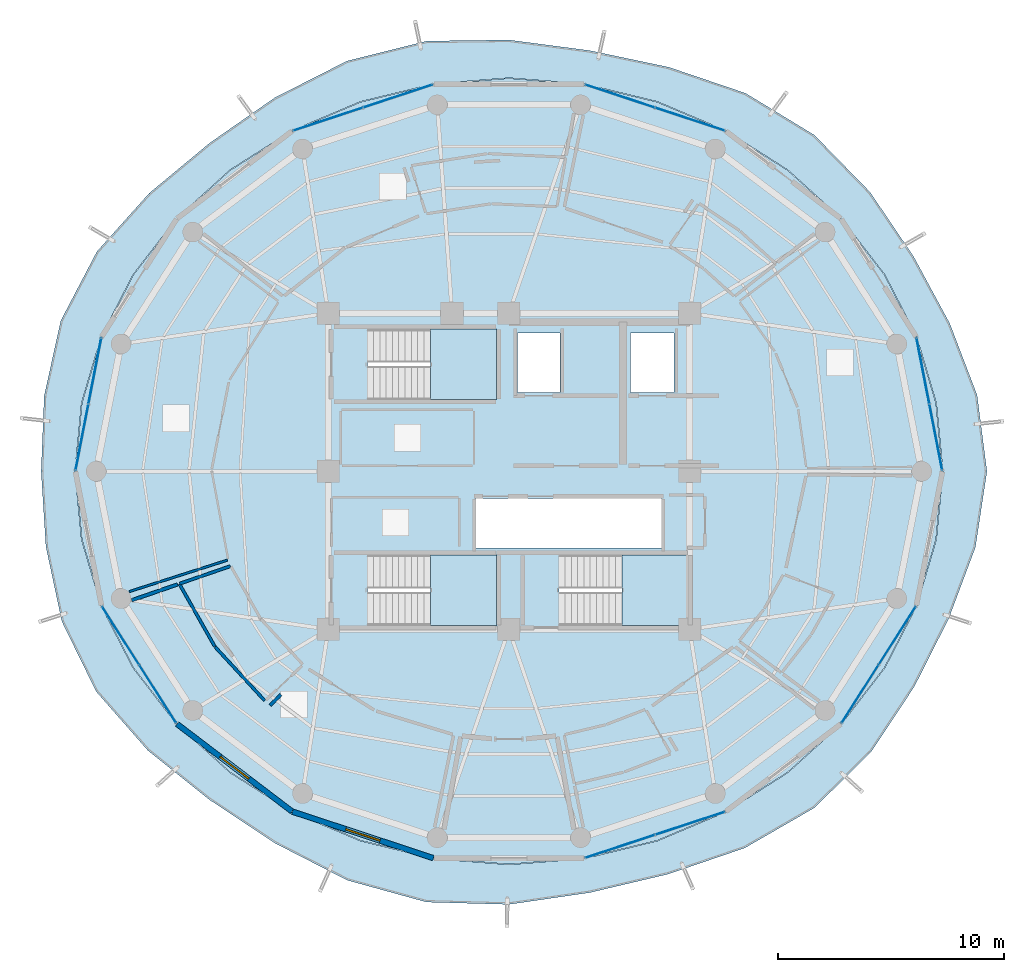
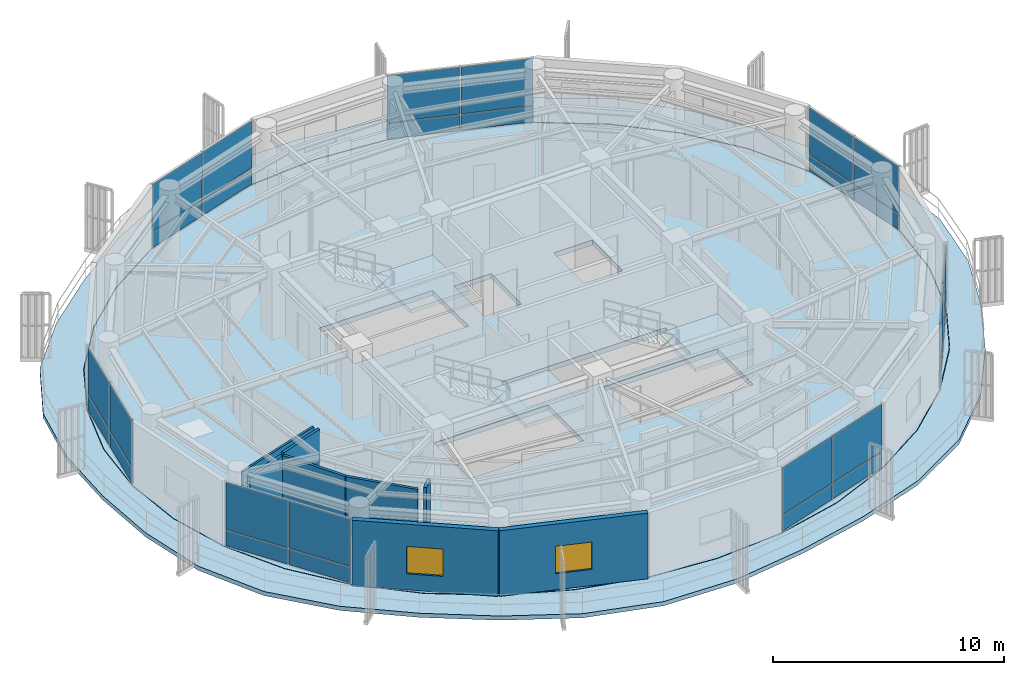
# One storey, part 14 of 22: 28 plates, 8 walls, 5 slabs, 2 windows, 2 openings, 10 elements without a shape of their own.
"""IFC4 building model written with IfcOpenShell, lengths in metres."""

from ifc_helpers import new_model, si_unit, direction, frame, frame_2d, origin, origin_2d, place, context, subcontext, project, spatial, polyline, rectangle, outline, extrude, source, transform, mapped, material, layer, layer_set, type_object, element, fill, aggregate, save


model = new_model("IFC4")

# Units and contexts
model_context = context("Model", 3, precision=1e-05, world=origin(), true_north=direction((0.0, 1.0)))
body_context = subcontext(model_context, "Body", "Model", "MODEL_VIEW")
ifc_project = project(units=[si_unit("LENGTHUNIT", "METRE"), si_unit("AREAUNIT", "SQUARE_METRE"), si_unit("VOLUMEUNIT", "CUBIC_METRE"), si_unit("PLANEANGLEUNIT", "RADIAN"), si_unit("MASSUNIT", "GRAM", prefix="KILO")], contexts=[model_context])

# Site, building, storey
site_placement = place(None, origin())
site = spatial("IfcSite", under=ifc_project, at=site_placement, CompositionType="ELEMENT")
building_placement = place(site_placement, origin())
building = spatial("IfcBuilding", under=site, at=building_placement, Name="Kelanora Arch Commons", CompositionType="ELEMENT")
storey_placement = place(building_placement, frame((0.0, 0.0, 274.949951171875)))
storey = spatial("IfcBuildingStorey", under=building, at=storey_placement, Name="L70", CompositionType="ELEMENT", Elevation=274.949951171875)

# Stair, slab
ifc_material_1 = material(Name="Concrete C40/50", Category="concrete")
stair_type = type_object("IfcStairType", Name="STR-DL-375", PredefinedType="HALF_TURN_STAIR", material=ifc_material_1)
stair_1_placement = place(storey_placement, origin())
stair_1 = element("IfcStair", 1, at=stair_1_placement, inside=storey, type_object=stair_type, Name="L70 ST-T1", PredefinedType="HALF_TURN_STAIR")
ifc_layer_1 = layer(ifc_material_1, 0.199951171875)
ifc_layer_set_1 = layer_set([ifc_layer_1], Name="Concrete C40/50")
slab_type_1 = type_object("IfcSlabType", Name="SLB-STAIR-LND", PredefinedType="LANDING", material=ifc_layer_set_1)
slab_1_placement = place(storey_placement, frame((0.0, 0.0, 1.675048828125)))
slab_1 = element("IfcSlab", 2, at=slab_1_placement, type_object=slab_type_1, Name="ST-T1 landing 1", PredefinedType="LANDING", context=body_context, shape_type="SweptSolid", body=[
    extrude(outline(polyline([(70.52001953125, 61.179931640625), (73.43994140625, 61.179931640625), (73.43994140625, 64.2900390625), (70.52001953125, 64.2900390625), (70.52001953125, 61.179931640625)])), origin(), (0.0, 0.0, 1.0), 0.199951171875),
])
aggregate(stair_1, [slab_1])

stair_2_placement = place(storey_placement, origin())
stair_2 = element("IfcStair", 3, at=stair_2_placement, inside=storey, type_object=stair_type, Name="L70 ST-T2", PredefinedType="HALF_TURN_STAIR")
slab_2_placement = place(storey_placement, frame((0.0, 0.0, 1.675048828125)))
slab_2 = element("IfcSlab", 4, at=slab_2_placement, type_object=slab_type_1, Name="ST-T2 landing 1", PredefinedType="LANDING", context=body_context, shape_type="SweptSolid", body=[
    extrude(outline(polyline([(79.0, 51.179931640625), (81.919921875, 51.179931640625), (81.919921875, 54.2900390625), (79.0, 54.2900390625), (79.0, 51.179931640625)])), origin(), (0.0, 0.0, 1.0), 0.199951171875),
])
aggregate(stair_2, [slab_2])

stair_3_placement = place(storey_placement, origin())
stair_3 = element("IfcStair", 5, at=stair_3_placement, inside=storey, type_object=stair_type, Name="L70 ST-T3", PredefinedType="HALF_TURN_STAIR")
slab_3_placement = place(storey_placement, frame((0.0, 0.0, 1.675048828125)))
slab_3 = element("IfcSlab", 6, at=slab_3_placement, type_object=slab_type_1, Name="ST-T3 landing 1", PredefinedType="LANDING", context=body_context, shape_type="SweptSolid", body=[
    extrude(outline(polyline([(70.52001953125, 51.179931640625), (73.43994140625, 51.179931640625), (73.43994140625, 54.2900390625), (70.52001953125, 54.2900390625), (70.52001953125, 51.179931640625)])), origin(), (0.0, 0.0, 1.0), 0.199951171875),
])
aggregate(stair_3, [slab_3])

# Slabs
ifc_layer_2 = layer(ifc_material_1, 0.260009765625)
ifc_layer_set_2 = layer_set([ifc_layer_2], Name="Concrete C40/50")
slab_type_2 = type_object("IfcSlabType", Name="SLB-TWR-TYP", PredefinedType="FLOOR", material=ifc_layer_set_2)
slab_4_placement = place(storey_placement, frame((0.0, 0.0, -0.260009765625)))
element("IfcSlab", 7, at=slab_4_placement, inside=storey, type_object=slab_type_2, Name="Tower Floor Slab L70", PredefinedType="FLOOR", context=body_context, shape_type="SweptSolid", body=[
    extrude(outline(polyline([(93.199951171875, 58.0), (92.908203125, 61.021484375), (92.0419921875, 63.951171875), (90.627685546875, 66.699951171875), (88.7080078125, 69.1845703125), (86.341552734375, 71.3291015625), (83.60009765625, 73.06884765625), (80.56689453125, 74.3505859375), (77.333984375, 75.1357421875), (74.0, 75.39990234375), (70.666015625, 75.1357421875), (67.43310546875, 74.3505859375), (64.39990234375, 73.06884765625), (61.658447265625, 71.3291015625), (59.2919921875, 69.1845703125), (57.372314453125, 66.699951171875), (55.9580078125, 63.951171875), (55.091796875, 61.021484375), (54.800048828125, 58.0), (55.091796875, 54.978515625), (55.9580078125, 52.048828125), (57.372314453125, 49.300048828125), (59.2919921875, 46.8154296875), (61.658447265625, 44.6708984375), (64.39990234375, 42.93115234375), (67.43310546875, 41.6494140625), (70.666015625, 40.8642578125), (74.0, 40.60009765625), (77.333984375, 40.8642578125), (80.56689453125, 41.6494140625), (83.60009765625, 42.93115234375), (86.341552734375, 44.6708984375), (88.7080078125, 46.8154296875), (90.627685546875, 49.300048828125), (92.0419921875, 52.048828125), (92.908203125, 54.978515625), (93.199951171875, 58.0)]), holes=[polyline([(73.431884765625, 51.18798828125), (67.72802734375, 51.18798828125), (67.72802734375, 54.281982421875), (73.431884765625, 54.281982421875), (73.431884765625, 51.18798828125)]), polyline([(76.2080078125, 51.18798828125), (76.2080078125, 54.281982421875), (81.912109375, 54.281982421875), (81.912109375, 51.18798828125), (76.2080078125, 51.18798828125)]), polyline([(72.550048828125, 54.60009765625), (72.550048828125, 56.800048828125), (80.75, 56.800048828125), (80.75, 54.60009765625), (72.550048828125, 54.60009765625)]), polyline([(73.431884765625, 61.18798828125), (67.72802734375, 61.18798828125), (67.72802734375, 64.281982421875), (73.431884765625, 64.281982421875), (73.431884765625, 61.18798828125)]), polyline([(74.3798828125, 61.47998046875), (74.3798828125, 64.1201171875), (76.260009765625, 64.1201171875), (76.260009765625, 61.47998046875), (74.3798828125, 61.47998046875)]), polyline([(79.3798828125, 61.47998046875), (79.3798828125, 64.1201171875), (81.320068359375, 64.1201171875), (81.320068359375, 61.47998046875), (79.3798828125, 61.47998046875)])]), origin(), (0.0, 0.0, 1.0), 0.260009765625),
])
ifc_layer_3 = layer(ifc_material_1, 0.219970703125)
ifc_layer_set_3 = layer_set([ifc_layer_3], Name="Concrete C40/50")
slab_type_3 = type_object("IfcSlabType", Name="SLB-WAVE-BAL", PredefinedType="FLOOR", material=ifc_layer_set_3)
slab_5_placement = place(storey_placement, frame((0.0, 0.0, -0.219970703125)))
element("IfcSlab", 8, at=slab_5_placement, inside=storey, type_object=slab_type_3, Name="Sinusoidal Wave Balcony Slab L70", PredefinedType="FLOOR", context=body_context, shape_type="SweptSolid", body=[
    extrude(outline(polyline([(95.168212890625, 58.0), (94.730712890625, 61.376220703125), (93.52099609375, 64.545166015625), (91.914306640625, 67.519775390625), (89.986083984375, 70.367919921875), (87.526611328125, 72.8876953125), (84.47607421875, 74.742919921875), (81.076416015625, 75.8955078125), (77.572998046875, 76.6318359375), (74.0, 77.101806640625), (70.359619140625, 77.05224609375), (66.83251953125, 76.172119140625), (63.62890625, 74.542236328125), (60.743408203125, 72.532470703125), (58.07177734375, 70.314208984375), (55.7548828125, 67.73046875), (54.156982421875, 64.674560546875), (53.42138671875, 61.346435546875), (53.284912109375, 58.0), (53.4951171875, 54.66796875), (54.20458984375, 51.3447265625), (55.72119140625, 48.248046875), (58.013916015625, 45.632080078125), (60.735107421875, 43.45654296875), (63.6611328125, 41.51904296875), (66.8515625, 39.885986328125), (70.35546875, 38.9208984375), (74.0, 38.818359375), (77.577392578125, 39.34130859375), (81.05712890625, 40.16259765625), (84.44384765625, 41.318359375), (87.534912109375, 43.101318359375), (90.043701171875, 45.578857421875), (91.947998046875, 48.458984375), (93.473388671875, 51.47412109375), (94.656982421875, 54.63818359375), (95.168212890625, 58.0)]), holes=[polyline([(92.927978515625, 54.97509765625), (92.060791015625, 52.0419921875), (90.64501953125, 49.2900390625), (88.723388671875, 46.802490234375), (86.3544921875, 44.655517578125), (83.610107421875, 42.913818359375), (80.573486328125, 41.630615234375), (77.33740234375, 40.844482421875), (74.0, 40.580078125), (70.66259765625, 40.844482421875), (67.426513671875, 41.630615234375), (64.389892578125, 42.913818359375), (61.6455078125, 44.655517578125), (59.276611328125, 46.802490234375), (57.35498046875, 49.2900390625), (55.939208984375, 52.0419921875), (55.072021484375, 54.97509765625), (54.780029296875, 58.0), (55.072021484375, 61.02490234375), (55.939208984375, 63.9580078125), (57.35498046875, 66.7099609375), (59.276611328125, 69.197509765625), (61.6455078125, 71.344482421875), (64.389892578125, 73.086181640625), (67.426513671875, 74.369384765625), (70.66259765625, 75.155517578125), (74.0, 75.419921875), (77.33740234375, 75.155517578125), (80.573486328125, 74.369384765625), (83.610107421875, 73.086181640625), (86.3544921875, 71.344482421875), (88.723388671875, 69.197509765625), (90.64501953125, 66.7099609375), (92.060791015625, 63.9580078125), (92.927978515625, 61.02490234375), (93.219970703125, 58.0), (92.927978515625, 54.97509765625)])]), origin(), (0.0, 0.0, 1.0), 0.219970703125),
])

# Curtain wall, plates
ifc_material_2 = material(Name="Terracotta ceramic-fritted low-E glass and aluminium", Category="masonry")
ifc_layer_4 = layer(ifc_material_2, 0.18994140625)
ifc_layer_set_4 = layer_set([ifc_layer_4], Name="Terracotta ceramic-fritted low-E glass and aluminium")
curtain_wall_type = type_object("IfcCurtainWallType", Name="CW-SYS-03", PredefinedType="NOTDEFINED", material=ifc_layer_set_4)
curtain_wall_1_placement = place(storey_placement, origin())
curtain_wall_1 = element("IfcCurtainWall", 9, at=curtain_wall_1_placement, inside=storey, type_object=curtain_wall_type, Name="Unitised Curtain Wall L70-B00", PredefinedType="NOTDEFINED")
ifc_material_3 = material(Name="Terracotta ceramic-fritted double glazing", Category="masonry")
ifc_layer_5 = layer(ifc_material_3, 0.028076171875)
ifc_layer_set_5 = layer_set([ifc_layer_5], Name="Terracotta ceramic-fritted double glazing")
plate_type = type_object("IfcPlateType", Name="CWP-FRIT", PredefinedType="CURTAIN_PANEL", material=ifc_layer_set_5)
shared_shape_1 = source(origin(), body_context, "Body", "SweptSolid", [
    extrude(rectangle(XDim=2.926513671875, YDim=0.028076171875, at=origin_2d()), origin(), (0.0, 0.0, 1.0), 0.81005859375),
])
plate_1_placement = place(storey_placement, frame((92.90625, 59.509765625, 0.06005859375), z_axis=(0.0, 0.0, 1.0), x_axis=(-0.190971701941, 0.981595542501, 0.0)))
plate_1 = element("IfcPlate", 10, at=plate_1_placement, type_object=plate_type, Name="CW-03 panel 1.1", PredefinedType="CURTAIN_PANEL", context=body_context, shape_type="MappedRepresentation", body=[
    mapped(shared_shape_1, transform((0.0, 0.0, 0.0), scale=1.0)),
])
plate_2_placement = place(storey_placement, frame((92.3359375, 62.44140625, 0.06005859375), z_axis=(0.0, 0.0, 1.0), x_axis=(-0.190971701941, 0.981595542501, 0.0)))
plate_2 = element("IfcPlate", 11, at=plate_2_placement, type_object=plate_type, Name="CW-03 panel 2.1", PredefinedType="CURTAIN_PANEL", context=body_context, shape_type="MappedRepresentation", body=[
    mapped(shared_shape_1, transform((0.0, 0.0, 0.0), scale=1.0)),
])

curtain_wall_2_placement = place(storey_placement, origin())
curtain_wall_2 = element("IfcCurtainWall", 12, at=curtain_wall_2_placement, inside=storey, type_object=curtain_wall_type, Name="Unitised Curtain Wall L70-B08", PredefinedType="NOTDEFINED")
plate_3_placement = place(storey_placement, frame((55.6640625, 62.44140625, 0.06005859375), z_axis=(0.0, 0.0, 1.0), x_axis=(-0.190971701941, -0.981595542501, 0.0)))
plate_3 = element("IfcPlate", 13, at=plate_3_placement, type_object=plate_type, Name="CW-03 panel 1.1", PredefinedType="CURTAIN_PANEL", context=body_context, shape_type="MappedRepresentation", body=[
    mapped(shared_shape_1, transform((0.0, 0.0, 0.0), scale=1.0)),
])
plate_4_placement = place(storey_placement, frame((55.09375, 59.509765625, 0.06005859375), z_axis=(0.0, 0.0, 1.0), x_axis=(-0.190971701941, -0.981595542501, 0.0)))
plate_4 = element("IfcPlate", 14, at=plate_4_placement, type_object=plate_type, Name="CW-03 panel 2.1", PredefinedType="CURTAIN_PANEL", context=body_context, shape_type="MappedRepresentation", body=[
    mapped(shared_shape_1, transform((0.0, 0.0, 0.0), scale=1.0)),
])

# Plate
shared_shape_2 = source(origin(), body_context, "Body", "SweptSolid", [
    extrude(rectangle(XDim=2.926513671875, YDim=0.028076171875, at=origin_2d()), origin(), (0.0, 0.0, 1.0), 2.485107421875),
])
plate_5_placement = place(storey_placement, frame((92.90625, 59.509765625, 0.93017578125), z_axis=(0.0, 0.0, 1.0), x_axis=(-0.190971701941, 0.981595542501, 0.0)))
plate_5 = element("IfcPlate", 15, at=plate_5_placement, type_object=plate_type, Name="CW-03 panel 1.2", PredefinedType="CURTAIN_PANEL", context=body_context, shape_type="MappedRepresentation", body=[
    mapped(shared_shape_2, transform((0.0, 0.0, 0.0), scale=1.0)),
])

plate_6_placement = place(storey_placement, frame((92.3359375, 62.44140625, 0.93017578125), z_axis=(0.0, 0.0, 1.0), x_axis=(-0.190971701941, 0.981595542501, 0.0)))
plate_6 = element("IfcPlate", 16, at=plate_6_placement, type_object=plate_type, Name="CW-03 panel 2.2", PredefinedType="CURTAIN_PANEL", context=body_context, shape_type="MappedRepresentation", body=[
    mapped(shared_shape_2, transform((0.0, 0.0, 0.0), scale=1.0)),
])

aggregate(curtain_wall_1, [plate_1, plate_5, plate_2, plate_6])

plate_7_placement = place(storey_placement, frame((55.6640625, 62.44140625, 0.93017578125), z_axis=(0.0, 0.0, 1.0), x_axis=(-0.190971701941, -0.981595542501, 0.0)))
plate_7 = element("IfcPlate", 17, at=plate_7_placement, type_object=plate_type, Name="CW-03 panel 1.2", PredefinedType="CURTAIN_PANEL", context=body_context, shape_type="MappedRepresentation", body=[
    mapped(shared_shape_2, transform((0.0, 0.0, 0.0), scale=1.0)),
])

plate_8_placement = place(storey_placement, frame((55.09375, 59.509765625, 0.93017578125), z_axis=(0.0, 0.0, 1.0), x_axis=(-0.190971701941, -0.981595542501, 0.0)))
plate_8 = element("IfcPlate", 18, at=plate_8_placement, type_object=plate_type, Name="CW-03 panel 2.2", PredefinedType="CURTAIN_PANEL", context=body_context, shape_type="MappedRepresentation", body=[
    mapped(shared_shape_2, transform((0.0, 0.0, 0.0), scale=1.0)),
])

aggregate(curtain_wall_2, [plate_3, plate_7, plate_4, plate_8])

# Curtain wall, plates
curtain_wall_3_placement = place(storey_placement, origin())
curtain_wall_3 = element("IfcCurtainWall", 19, at=curtain_wall_3_placement, inside=storey, type_object=curtain_wall_type, Name="Unitised Curtain Wall L70-B03", PredefinedType="NOTDEFINED")
shared_shape_3 = source(origin(), body_context, "Body", "SweptSolid", [
    extrude(rectangle(XDim=3.194091796875, YDim=0.028076171875, at=origin_2d()), origin(), (0.0, 0.0, 1.0), 0.81005859375),
])
plate_9_placement = place(storey_placement, frame((82.01220703125, 73.592529296875, 0.06005859375), z_axis=(0.0, 0.0, 1.0), x_axis=(-0.949669780752, 0.313252785344, 0.0)))
plate_9 = element("IfcPlate", 20, at=plate_9_placement, type_object=plate_type, Name="CW-03 panel 1.1", PredefinedType="CURTAIN_PANEL", context=body_context, shape_type="MappedRepresentation", body=[
    mapped(shared_shape_3, transform((0.0, 0.0, 0.0), scale=1.0)),
])
plate_10_placement = place(storey_placement, frame((78.921875, 74.61181640625, 0.06005859375), z_axis=(0.0, 0.0, 1.0), x_axis=(-0.949669780752, 0.313252785344, 0.0)))
plate_10 = element("IfcPlate", 21, at=plate_10_placement, type_object=plate_type, Name="CW-03 panel 2.1", PredefinedType="CURTAIN_PANEL", context=body_context, shape_type="MappedRepresentation", body=[
    mapped(shared_shape_3, transform((0.0, 0.0, 0.0), scale=1.0)),
])

curtain_wall_4_placement = place(storey_placement, origin())
curtain_wall_4 = element("IfcCurtainWall", 22, at=curtain_wall_4_placement, inside=storey, type_object=curtain_wall_type, Name="Unitised Curtain Wall L70-B05", PredefinedType="NOTDEFINED")
plate_11_placement = place(storey_placement, frame((69.078125, 74.61181640625, 0.06005859375), z_axis=(0.0, 0.0, 1.0), x_axis=(-0.949669780752, -0.313252785344, 0.0)))
plate_11 = element("IfcPlate", 23, at=plate_11_placement, type_object=plate_type, Name="CW-03 panel 1.1", PredefinedType="CURTAIN_PANEL", context=body_context, shape_type="MappedRepresentation", body=[
    mapped(shared_shape_3, transform((0.0, 0.0, 0.0), scale=1.0)),
])
plate_12_placement = place(storey_placement, frame((65.98779296875, 73.592529296875, 0.06005859375), z_axis=(0.0, 0.0, 1.0), x_axis=(-0.949669780752, -0.313252785344, 0.0)))
plate_12 = element("IfcPlate", 24, at=plate_12_placement, type_object=plate_type, Name="CW-03 panel 2.1", PredefinedType="CURTAIN_PANEL", context=body_context, shape_type="MappedRepresentation", body=[
    mapped(shared_shape_3, transform((0.0, 0.0, 0.0), scale=1.0)),
])

curtain_wall_5_placement = place(storey_placement, origin())
curtain_wall_5 = element("IfcCurtainWall", 25, at=curtain_wall_5_placement, inside=storey, type_object=curtain_wall_type, Name="Unitised Curtain Wall L70-B14", PredefinedType="NOTDEFINED")
plate_13_placement = place(storey_placement, frame((78.921875, 41.38818359375, 0.06005859375), z_axis=(0.0, 0.0, 1.0), x_axis=(0.949669780752, 0.313252785344, 0.0)))
plate_13 = element("IfcPlate", 26, at=plate_13_placement, type_object=plate_type, Name="CW-03 panel 1.1", PredefinedType="CURTAIN_PANEL", context=body_context, shape_type="MappedRepresentation", body=[
    mapped(shared_shape_3, transform((0.0, 0.0, 0.0), scale=1.0)),
])
plate_14_placement = place(storey_placement, frame((82.01220703125, 42.407470703125, 0.06005859375), z_axis=(0.0, 0.0, 1.0), x_axis=(0.949669780752, 0.313252785344, 0.0)))
plate_14 = element("IfcPlate", 27, at=plate_14_placement, type_object=plate_type, Name="CW-03 panel 2.1", PredefinedType="CURTAIN_PANEL", context=body_context, shape_type="MappedRepresentation", body=[
    mapped(shared_shape_3, transform((0.0, 0.0, 0.0), scale=1.0)),
])

# Plate
shared_shape_4 = source(origin(), body_context, "Body", "SweptSolid", [
    extrude(rectangle(XDim=3.194091796875, YDim=0.028076171875, at=origin_2d()), origin(), (0.0, 0.0, 1.0), 2.485107421875),
])
plate_15_placement = place(storey_placement, frame((82.01220703125, 73.592529296875, 0.93017578125), z_axis=(0.0, 0.0, 1.0), x_axis=(-0.949669780752, 0.313252785344, 0.0)))
plate_15 = element("IfcPlate", 28, at=plate_15_placement, type_object=plate_type, Name="CW-03 panel 1.2", PredefinedType="CURTAIN_PANEL", context=body_context, shape_type="MappedRepresentation", body=[
    mapped(shared_shape_4, transform((0.0, 0.0, 0.0), scale=1.0)),
])

plate_16_placement = place(storey_placement, frame((78.921875, 74.61181640625, 0.93017578125), z_axis=(0.0, 0.0, 1.0), x_axis=(-0.949669780752, 0.313252785344, 0.0)))
plate_16 = element("IfcPlate", 29, at=plate_16_placement, type_object=plate_type, Name="CW-03 panel 2.2", PredefinedType="CURTAIN_PANEL", context=body_context, shape_type="MappedRepresentation", body=[
    mapped(shared_shape_4, transform((0.0, 0.0, 0.0), scale=1.0)),
])

aggregate(curtain_wall_3, [plate_9, plate_15, plate_10, plate_16])

plate_17_placement = place(storey_placement, frame((69.078125, 74.61181640625, 0.93017578125), z_axis=(0.0, 0.0, 1.0), x_axis=(-0.949669780752, -0.313252785344, 0.0)))
plate_17 = element("IfcPlate", 30, at=plate_17_placement, type_object=plate_type, Name="CW-03 panel 1.2", PredefinedType="CURTAIN_PANEL", context=body_context, shape_type="MappedRepresentation", body=[
    mapped(shared_shape_4, transform((0.0, 0.0, 0.0), scale=1.0)),
])

plate_18_placement = place(storey_placement, frame((65.98779296875, 73.592529296875, 0.93017578125), z_axis=(0.0, 0.0, 1.0), x_axis=(-0.949669780752, -0.313252785344, 0.0)))
plate_18 = element("IfcPlate", 31, at=plate_18_placement, type_object=plate_type, Name="CW-03 panel 2.2", PredefinedType="CURTAIN_PANEL", context=body_context, shape_type="MappedRepresentation", body=[
    mapped(shared_shape_4, transform((0.0, 0.0, 0.0), scale=1.0)),
])

aggregate(curtain_wall_4, [plate_11, plate_17, plate_12, plate_18])

plate_19_placement = place(storey_placement, frame((78.921875, 41.38818359375, 0.93017578125), z_axis=(0.0, 0.0, 1.0), x_axis=(0.949669780752, 0.313252785344, 0.0)))
plate_19 = element("IfcPlate", 32, at=plate_19_placement, type_object=plate_type, Name="CW-03 panel 1.2", PredefinedType="CURTAIN_PANEL", context=body_context, shape_type="MappedRepresentation", body=[
    mapped(shared_shape_4, transform((0.0, 0.0, 0.0), scale=1.0)),
])

plate_20_placement = place(storey_placement, frame((82.01220703125, 42.407470703125, 0.93017578125), z_axis=(0.0, 0.0, 1.0), x_axis=(0.949669780752, 0.313252785344, 0.0)))
plate_20 = element("IfcPlate", 33, at=plate_20_placement, type_object=plate_type, Name="CW-03 panel 2.2", PredefinedType="CURTAIN_PANEL", context=body_context, shape_type="MappedRepresentation", body=[
    mapped(shared_shape_4, transform((0.0, 0.0, 0.0), scale=1.0)),
])

aggregate(curtain_wall_5, [plate_13, plate_19, plate_14, plate_20])

# Curtain wall, plates
curtain_wall_6_placement = place(storey_placement, origin())
curtain_wall_6 = element("IfcCurtainWall", 34, at=curtain_wall_6_placement, inside=storey, type_object=curtain_wall_type, Name="Unitised Curtain Wall L70-B10", PredefinedType="NOTDEFINED")
shared_shape_5 = source(origin(), body_context, "Body", "SweptSolid", [
    extrude(rectangle(XDim=2.99755859375, YDim=0.028076171875, at=origin_2d()), origin(), (0.0, 0.0, 1.0), 0.81005859375),
])
plate_21_placement = place(storey_placement, frame((56.803466796875, 50.721435546875, 0.06005859375), z_axis=(0.0, 0.0, 1.0), x_axis=(0.537299814397, -0.843391314545, 0.0)))
plate_21 = element("IfcPlate", 35, at=plate_21_placement, type_object=plate_type, Name="CW-03 panel 1.1", PredefinedType="CURTAIN_PANEL", context=body_context, shape_type="MappedRepresentation", body=[
    mapped(shared_shape_5, transform((0.0, 0.0, 0.0), scale=1.0)),
])
plate_22_placement = place(storey_placement, frame((58.4462890625, 48.142822265625, 0.06005859375), z_axis=(0.0, 0.0, 1.0), x_axis=(0.537299814397, -0.843391314545, 0.0)))
plate_22 = element("IfcPlate", 36, at=plate_22_placement, type_object=plate_type, Name="CW-03 panel 2.1", PredefinedType="CURTAIN_PANEL", context=body_context, shape_type="MappedRepresentation", body=[
    mapped(shared_shape_5, transform((0.0, 0.0, 0.0), scale=1.0)),
])

curtain_wall_7_placement = place(storey_placement, origin())
curtain_wall_7 = element("IfcCurtainWall", 37, at=curtain_wall_7_placement, inside=storey, type_object=curtain_wall_type, Name="Unitised Curtain Wall L70-B16", PredefinedType="NOTDEFINED")
plate_23_placement = place(storey_placement, frame((89.5537109375, 48.142822265625, 0.06005859375), z_axis=(0.0, 0.0, 1.0), x_axis=(0.537299814397, 0.843391314545, 0.0)))
plate_23 = element("IfcPlate", 38, at=plate_23_placement, type_object=plate_type, Name="CW-03 panel 1.1", PredefinedType="CURTAIN_PANEL", context=body_context, shape_type="MappedRepresentation", body=[
    mapped(shared_shape_5, transform((0.0, 0.0, 0.0), scale=1.0)),
])
plate_24_placement = place(storey_placement, frame((91.196533203125, 50.721435546875, 0.06005859375), z_axis=(0.0, 0.0, 1.0), x_axis=(0.537299814397, 0.843391314545, 0.0)))
plate_24 = element("IfcPlate", 39, at=plate_24_placement, type_object=plate_type, Name="CW-03 panel 2.1", PredefinedType="CURTAIN_PANEL", context=body_context, shape_type="MappedRepresentation", body=[
    mapped(shared_shape_5, transform((0.0, 0.0, 0.0), scale=1.0)),
])

# Plate
shared_shape_6 = source(origin(), body_context, "Body", "SweptSolid", [
    extrude(rectangle(XDim=2.99755859375, YDim=0.028076171875, at=origin_2d()), origin(), (0.0, 0.0, 1.0), 2.485107421875),
])
plate_25_placement = place(storey_placement, frame((56.803466796875, 50.721435546875, 0.93017578125), z_axis=(0.0, 0.0, 1.0), x_axis=(0.537299814397, -0.843391314545, 0.0)))
plate_25 = element("IfcPlate", 40, at=plate_25_placement, type_object=plate_type, Name="CW-03 panel 1.2", PredefinedType="CURTAIN_PANEL", context=body_context, shape_type="MappedRepresentation", body=[
    mapped(shared_shape_6, transform((0.0, 0.0, 0.0), scale=1.0)),
])

plate_26_placement = place(storey_placement, frame((58.4462890625, 48.142822265625, 0.93017578125), z_axis=(0.0, 0.0, 1.0), x_axis=(0.537299814397, -0.843391314545, 0.0)))
plate_26 = element("IfcPlate", 41, at=plate_26_placement, type_object=plate_type, Name="CW-03 panel 2.2", PredefinedType="CURTAIN_PANEL", context=body_context, shape_type="MappedRepresentation", body=[
    mapped(shared_shape_6, transform((0.0, 0.0, 0.0), scale=1.0)),
])

aggregate(curtain_wall_6, [plate_21, plate_25, plate_22, plate_26])

plate_27_placement = place(storey_placement, frame((89.5537109375, 48.142822265625, 0.93017578125), z_axis=(0.0, 0.0, 1.0), x_axis=(0.537299814397, 0.843391314545, 0.0)))
plate_27 = element("IfcPlate", 42, at=plate_27_placement, type_object=plate_type, Name="CW-03 panel 1.2", PredefinedType="CURTAIN_PANEL", context=body_context, shape_type="MappedRepresentation", body=[
    mapped(shared_shape_6, transform((0.0, 0.0, 0.0), scale=1.0)),
])

plate_28_placement = place(storey_placement, frame((91.196533203125, 50.721435546875, 0.93017578125), z_axis=(0.0, 0.0, 1.0), x_axis=(0.537299814397, 0.843391314545, 0.0)))
plate_28 = element("IfcPlate", 43, at=plate_28_placement, type_object=plate_type, Name="CW-03 panel 2.2", PredefinedType="CURTAIN_PANEL", context=body_context, shape_type="MappedRepresentation", body=[
    mapped(shared_shape_6, transform((0.0, 0.0, 0.0), scale=1.0)),
])

aggregate(curtain_wall_7, [plate_23, plate_27, plate_24, plate_28])

# Walls
ifc_material_4 = material(Name="Autoclaved aerated concrete blockwork with fire plaster", Category="masonry")
ifc_layer_6 = layer(ifc_material_4, 0.14990234375)
ifc_layer_set_6 = layer_set([ifc_layer_6], Name="Autoclaved aerated concrete blockwork with fire plaster")
wall_type_1 = type_object("IfcWallType", Name="W-COMP-150", PredefinedType="PARTITIONING", material=ifc_layer_set_6)
wall_1_placement = place(storey_placement, frame((57.291015625, 52.28662109375, 0.0), z_axis=(0.0, 0.0, 1.0), x_axis=(0.945101825102, 0.326775978598, 0.0)))
element("IfcWall", 44, at=wall_1_placement, inside=storey, type_object=wall_type_1, Name="Co-Living Studio L70-07 Enclosure Partition 6", PredefinedType="PARTITIONING", context=body_context, shape_type="SweptSolid", body=[
    extrude(rectangle(XDim=2.155517578125, YDim=0.14990234375, at=frame_2d((1.07763671875, 0.0))), origin(), (0.0, 0.0, 1.0), 3.074951171875),
])
wall_2_placement = place(storey_placement, frame((63.426513671875, 47.63525390625, 0.0), z_axis=(0.0, 0.0, 1.0), x_axis=(0.709466506809, 0.70473915438, 0.0)))
element("IfcWall", 45, at=wall_2_placement, inside=storey, type_object=wall_type_1, Name="Co-Living Studio L70-07 Enclosure Partition 8", PredefinedType="PARTITIONING", context=body_context, shape_type="SweptSolid", body=[
    extrude(rectangle(XDim=0.67138671875, YDim=0.14990234375, at=frame_2d((0.335693359375, 0.0))), origin(), (0.0, 0.0, 1.0), 3.175048828125),
])

# Wall, opening, window
ifc_material_5 = material(Name="Precast concrete C40/50 upper-zone terracotta rainscreen", Category="masonry")
ifc_layer_7 = layer(ifc_material_5, 0.239990234375)
ifc_layer_set_7 = layer_set([ifc_layer_7], Name="Precast concrete C40/50 upper-zone terracotta rainscreen")
wall_type_2 = type_object("IfcWallType", Name="W-EXT-TC2", PredefinedType="SOLIDWALL", material=ifc_layer_set_7)
wall_3_placement = place(storey_placement, frame((59.3037109375, 46.806396484375, 0.0), z_axis=(0.0, 0.0, 1.0), x_axis=(0.796010444211, -0.605282886514, 0.0)))
wall_3 = element("IfcWall", 46, at=wall_3_placement, inside=storey, type_object=wall_type_2, Name="Terracotta Exterior Wall L70-B11", PredefinedType="SOLIDWALL", context=body_context, shape_type="SweptSolid", body=[
    extrude(rectangle(XDim=6.387451171875, YDim=0.239990234375, at=frame_2d((3.19384765625, 0.0))), origin(), (0.0, 0.0, 1.0), 3.47509765625),
])
opening_1_placement = place(wall_3_placement, frame((2.39404296875, 0.0, 0.85009765625)))
opening_1 = element("IfcOpeningElement", 47, at=opening_1_placement, cuts=wall_3, Name="Opening WN-01", PredefinedType="OPENING", context=body_context, shape_type="SweptSolid", body=[
    extrude(rectangle(XDim=1.60009765625, YDim=1.449951171875, at=frame_2d((0.800048828125, 0.72509765625))), frame((0.0, 0.1298828125, 0.0), z_axis=(0.0, -1.0, 0.0), x_axis=(1.0, 0.0, 0.0)), (0.0, 0.0, 1.0), 0.260009765625),
])
ifc_material_6 = material(Name="Terracotta-anodised aluminium frame with operable low-E glazing", Category="masonry")
window_type = type_object("IfcWindowType", Name="WIN-CL-18", PartitioningType="DOUBLE_PANEL_VERTICAL", PredefinedType="WINDOW", material=ifc_material_6)
window_1_placement = place(opening_1_placement, origin())
window_1 = element("IfcWindow", 48, at=window_1_placement, inside=storey, type_object=window_type, Name="Co-Living Operable Window L70-B11", OverallHeight=1.449951171875, OverallWidth=1.60009765625, PartitioningType="SINGLE_PANEL", PredefinedType="WINDOW", context=body_context, shape_type="SweptSolid", body=[
    extrude(rectangle(XDim=1.60009765625, YDim=1.449951171875, at=frame_2d((0.800048828125, 0.72509765625))), frame((0.0, 0.030029296875, 0.0), z_axis=(0.0, -1.0, 0.0), x_axis=(1.0, 0.0, 0.0)), (0.0, 0.0, 1.0), 0.06005859375),
])
fill(opening_1, window_1)

wall_4_placement = place(storey_placement, frame((64.414306640625, 42.926513671875, 0.0), z_axis=(0.0, 0.0, 1.0), x_axis=(0.949663708393, -0.313271193954, 0.0)))
wall_4 = element("IfcWall", 49, at=wall_4_placement, inside=storey, type_object=wall_type_2, Name="Terracotta Exterior Wall L70-B12", PredefinedType="SOLIDWALL", context=body_context, shape_type="SweptSolid", body=[
    extrude(rectangle(XDim=6.568115234375, YDim=0.239990234375, at=frame_2d((3.2841796875, 0.0))), origin(), (0.0, 0.0, 1.0), 3.47509765625),
])
opening_2_placement = place(wall_4_placement, frame((2.48388671875, 0.0, 0.85009765625)))
opening_2 = element("IfcOpeningElement", 50, at=opening_2_placement, cuts=wall_4, Name="Opening WN-01", PredefinedType="OPENING", context=body_context, shape_type="SweptSolid", body=[
    extrude(rectangle(XDim=1.60009765625, YDim=1.449951171875, at=frame_2d((0.800048828125, 0.72509765625))), frame((0.0, 0.1298828125, 0.0), z_axis=(0.0, -1.0, 0.0), x_axis=(1.0, 0.0, 0.0)), (0.0, 0.0, 1.0), 0.260009765625),
])
window_2_placement = place(opening_2_placement, origin())
window_2 = element("IfcWindow", 51, at=window_2_placement, inside=storey, type_object=window_type, Name="Co-Living Operable Window L70-B12", OverallHeight=1.449951171875, OverallWidth=1.60009765625, PartitioningType="SINGLE_PANEL", PredefinedType="WINDOW", context=body_context, shape_type="SweptSolid", body=[
    extrude(rectangle(XDim=1.60009765625, YDim=1.449951171875, at=frame_2d((0.800048828125, 0.72509765625))), frame((0.0, 0.030029296875, 0.0), z_axis=(0.0, -1.0, 0.0), x_axis=(1.0, 0.0, 0.0)), (0.0, 0.0, 1.0), 0.06005859375),
])
fill(opening_2, window_2)

# Walls
ifc_material_7 = material(Name="Lightweight fire-rated acoustic stud partition")
ifc_layer_8 = layer(ifc_material_7, 0.10009765625)
ifc_layer_set_8 = layer_set([ifc_layer_8], Name="Lightweight fire-rated acoustic stud partition")
wall_type_3 = type_object("IfcWallType", Name="W-PART-100", PredefinedType="PARTITIONING", material=ifc_layer_set_8)
wall_5_placement = place(storey_placement, frame((61.531982421875, 54.064697265625, 0.0), z_axis=(0.0, 0.0, 1.0), x_axis=(-0.95227750557, -0.305233602976, 0.0)))
element("IfcWall", 52, at=wall_5_placement, inside=storey, type_object=wall_type_3, Name="Quiet Seminar Study Room L70-06 Enclosure Partition 4", PredefinedType="PARTITIONING", context=body_context, shape_type="SweptSolid", body=[
    extrude(rectangle(XDim=4.5654296875, YDim=0.10009765625, at=frame_2d((2.28271484375, 0.0))), origin(), (0.0, 0.0, 1.0), 3.175048828125),
])
ifc_material_8 = material(Name="Moisture-resistant fire-rated cement-board plumbing wall")
ifc_layer_9 = layer(ifc_material_8, 0.1298828125)
ifc_layer_set_9 = layer_set([ifc_layer_9], Name="Moisture-resistant fire-rated cement-board plumbing wall")
wall_type_4 = type_object("IfcWallType", Name="W-WET-120", PredefinedType="PLUMBINGWALL", material=ifc_layer_set_9)
wall_6_placement = place(storey_placement, frame((63.183349609375, 47.8447265625, 0.0), z_axis=(0.0, 0.0, 1.0), x_axis=(-0.678233011032, 0.734846911095, 0.0)))
element("IfcWall", 53, at=wall_6_placement, inside=storey, type_object=wall_type_4, Name="En-Suite Shower WC L70-07 Enclosure Partition 4", PredefinedType="PLUMBINGWALL", context=body_context, shape_type="SweptSolid", body=[
    extrude(rectangle(XDim=3.22998046875, YDim=0.1298828125, at=frame_2d((1.614990234375, 0.0))), origin(), (0.0, 0.0, 1.0), 3.074951171875),
])
wall_7_placement = place(storey_placement, frame((60.96923828125, 50.25048828125, 0.0), z_axis=(0.0, 0.0, 1.0), x_axis=(-0.492548536898, 0.870284975626, 0.0)))
element("IfcWall", 54, at=wall_7_placement, inside=storey, type_object=wall_type_4, Name="En-Suite Shower WC L70-07 Enclosure Partition 5", PredefinedType="PLUMBINGWALL", context=body_context, shape_type="SweptSolid", body=[
    extrude(rectangle(XDim=3.159912109375, YDim=0.1298828125, at=frame_2d((1.580078125, 0.0))), origin(), (0.0, 0.0, 1.0), 3.074951171875),
])
wall_8_placement = place(storey_placement, frame((59.421875, 53.0244140625, 0.0), z_axis=(0.0, 0.0, 1.0), x_axis=(0.945238193125, 0.326381308071, 0.0)))
element("IfcWall", 55, at=wall_8_placement, inside=storey, type_object=wall_type_4, Name="En-Suite Shower WC L70-07 Enclosure Partition 6", PredefinedType="PLUMBINGWALL", context=body_context, shape_type="SweptSolid", body=[
    extrude(rectangle(XDim=2.368896484375, YDim=0.1298828125, at=frame_2d((1.1845703125, 0.0))), origin(), (0.0, 0.0, 1.0), 3.175048828125),
])

save(model, "model.ifc")
